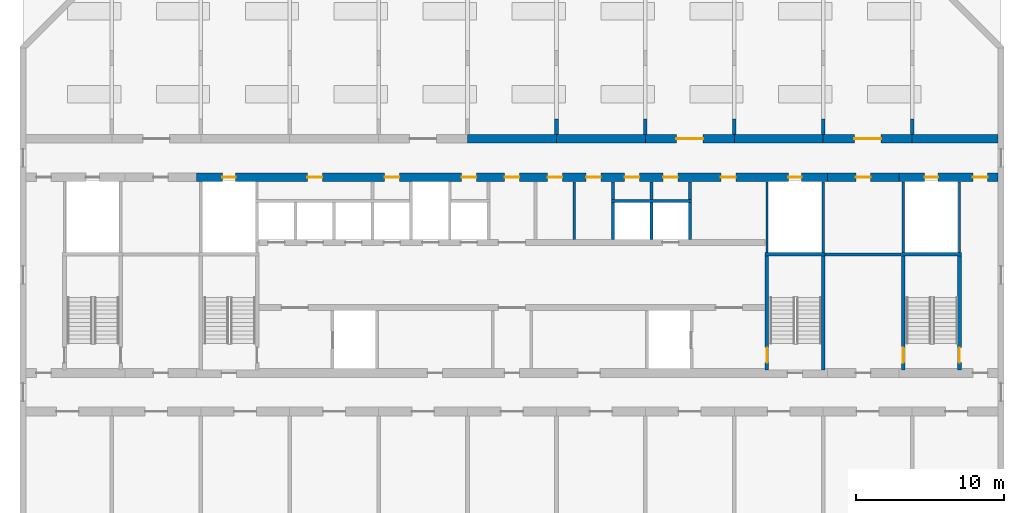
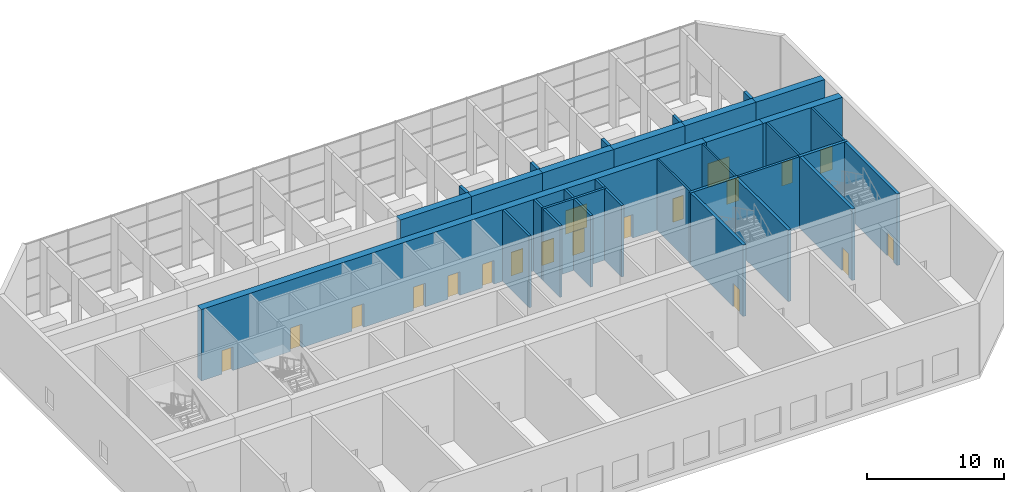
# One storey, part 9 of 13: 33 walls, 19 doors, 19 openings.
"""IFC4 building model written with IfcOpenShell, lengths in metres."""

from ifc_helpers import new_model, si_unit, direction, frame, frame_2d, origin, place, context, subcontext, project, spatial, rectangle, extrude, material, layer, layer_set, type_object, element, fill, save


model = new_model("IFC4")

# Units and contexts
model_context = context("Model", 3, precision=1e-05, world=origin(), true_north=direction((0.0, 1.0)))
body_context = subcontext(model_context, "Body", "Model", "MODEL_VIEW")
ifc_project = project(units=[si_unit("LENGTHUNIT", "METRE"), si_unit("AREAUNIT", "SQUARE_METRE"), si_unit("VOLUMEUNIT", "CUBIC_METRE"), si_unit("PLANEANGLEUNIT", "RADIAN"), si_unit("MASSUNIT", "GRAM", prefix="KILO")], contexts=[model_context])

# Site, building, storey
site_placement = place(None, origin())
site = spatial("IfcSite", under=ifc_project, at=site_placement, CompositionType="ELEMENT")
building_placement = place(site_placement, origin())
building = spatial("IfcBuilding", under=site, at=building_placement, Name="Poui Terraces", CompositionType="ELEMENT")
storey_placement = place(building_placement, frame((0.0, 0.0, 214.800048828125)))
storey = spatial("IfcBuildingStorey", under=building, at=storey_placement, Name="L60", CompositionType="ELEMENT", Elevation=214.800048828125)

# Walls
ifc_material_1 = material(Name="Concrete 50 MPa", Category="concrete")
ifc_layer_1 = layer(ifc_material_1, 0.60009765625)
ifc_layer_set_1 = layer_set([ifc_layer_1], Name="Concrete 50 MPa")
wall_type_1 = type_object("IfcWallType", Name="BELT WALL 600 50MPa", PredefinedType="SHEAR", material=ifc_layer_set_1)
for number, where, z_axis, x_axis, name in (
    (1, (48.0, 30.39990234375, 0.0), (0.0, 0.0, 1.0), (1.0, 0.0, 0.0), "BELT WALL LINE E BAY 6"),
    (2, (54.0, 30.39990234375, 0.0), (0.0, 0.0, 1.0), (1.0, 0.0, 0.0), "BELT WALL LINE E BAY 7"),
):
    element("IfcWall", number, at=place(storey_placement, frame(where, z_axis=z_axis, x_axis=x_axis)), inside=storey, type_object=wall_type_1, Name=name, PredefinedType="SHEAR", context=body_context, shape_type="SweptSolid", body=[
        extrude(rectangle(XDim=6.0, YDim=0.60009765625, at=frame_2d((3.0, 0.0))), origin(), (0.0, 0.0, 1.0), 6.3798828125),
    ])

# Wall, opening, door
wall_1_placement = place(storey_placement, frame((60.0, 30.39990234375, 0.0), z_axis=(0.0, 0.0, 1.0), x_axis=(1.0, 0.0, 0.0)))
wall_1 = element("IfcWall", 3, at=wall_1_placement, inside=storey, type_object=wall_type_1, Name="BELT WALL LINE E BAY 8", PredefinedType="SHEAR", context=body_context, shape_type="SweptSolid", body=[
    extrude(rectangle(XDim=6.0, YDim=0.60009765625, at=frame_2d((3.0, 0.0))), origin(), (0.0, 0.0, 1.0), 6.3798828125),
])
opening_1_placement = place(wall_1_placement, frame((2.10009765625, 0.0, 0.0)))
opening_1 = element("IfcOpeningElement", 4, at=opening_1_placement, cuts=wall_1, Name="Opening DD180", PredefinedType="OPENING", context=body_context, shape_type="SweptSolid", body=[
    extrude(rectangle(XDim=1.800048828125, YDim=2.10009765625, at=frame_2d((0.89990234375, 1.050048828125))), frame((0.0, 0.31005859375, 0.0), z_axis=(0.0, -1.0, 0.0), x_axis=(1.0, 0.0, 0.0)), (0.0, 0.0, 1.0), 0.6201171875),
])
ifc_material_2 = material(Name="Steel fire door", Category="steel")
door_type_1 = type_object("IfcDoorType", Name="DOUBLE INTERNAL DOOR 1800 X 2100", OperationType="DOUBLE_DOOR_SINGLE_SWING", PredefinedType="DOOR", material=ifc_material_2)
door_1_placement = place(opening_1_placement, frame((1.800048828125, 0.0, 0.0), z_axis=(0.0, 0.0, 1.0), x_axis=(-1.0, 0.0, 0.0)))
door_1 = element("IfcDoor", 5, at=door_1_placement, inside=storey, type_object=door_type_1, Name="DOUBLE INTERNAL DOOR 015", OperationType="DOUBLE_DOOR_SINGLE_SWING", OverallHeight=2.10009765625, OverallWidth=1.800048828125, PredefinedType="DOOR", context=body_context, shape_type="SweptSolid", body=[
    extrude(rectangle(XDim=1.800048828125, YDim=2.10009765625, at=frame_2d((0.89990234375, 1.050048828125))), frame((0.0, 0.02490234375, 0.0), z_axis=(0.0, -1.0, 0.0), x_axis=(1.0, 0.0, 0.0)), (0.0, 0.0, 1.0), 0.050048828125),
])
fill(opening_1, door_1)

# Wall
wall_2_placement = place(storey_placement, frame((66.0, 30.39990234375, 0.0), z_axis=(0.0, 0.0, 1.0), x_axis=(1.0, 0.0, 0.0)))
element("IfcWall", 6, at=wall_2_placement, inside=storey, type_object=wall_type_1, Name="BELT WALL LINE E BAY 9", PredefinedType="SHEAR", context=body_context, shape_type="SweptSolid", body=[
    extrude(rectangle(XDim=6.0, YDim=0.60009765625, at=frame_2d((3.0, 0.0))), origin(), (0.0, 0.0, 1.0), 6.3798828125),
])

# Wall, opening, door
wall_3_placement = place(storey_placement, frame((72.0, 30.39990234375, 0.0), z_axis=(0.0, 0.0, 1.0), x_axis=(1.0, 0.0, 0.0)))
wall_3 = element("IfcWall", 7, at=wall_3_placement, inside=storey, type_object=wall_type_1, Name="BELT WALL LINE E BAY 10", PredefinedType="SHEAR", context=body_context, shape_type="SweptSolid", body=[
    extrude(rectangle(XDim=6.0, YDim=0.60009765625, at=frame_2d((3.0, 0.0))), origin(), (0.0, 0.0, 1.0), 6.3798828125),
])
opening_2_placement = place(wall_3_placement, frame((2.10009765625, 0.0, 0.0)))
opening_2 = element("IfcOpeningElement", 8, at=opening_2_placement, cuts=wall_3, Name="Opening DD180", PredefinedType="OPENING", context=body_context, shape_type="SweptSolid", body=[
    extrude(rectangle(XDim=1.800048828125, YDim=2.10009765625, at=frame_2d((0.89990234375, 1.050048828125))), frame((0.0, 0.31005859375, 0.0), z_axis=(0.0, -1.0, 0.0), x_axis=(1.0, 0.0, 0.0)), (0.0, 0.0, 1.0), 0.6201171875),
])
door_2_placement = place(opening_2_placement, frame((1.800048828125, 0.0, 0.0), z_axis=(0.0, 0.0, 1.0), x_axis=(-1.0, 0.0, 0.0)))
door_2 = element("IfcDoor", 9, at=door_2_placement, inside=storey, type_object=door_type_1, Name="DOUBLE INTERNAL DOOR 019", OperationType="DOUBLE_DOOR_SINGLE_SWING", OverallHeight=2.10009765625, OverallWidth=1.800048828125, PredefinedType="DOOR", context=body_context, shape_type="SweptSolid", body=[
    extrude(rectangle(XDim=1.800048828125, YDim=2.10009765625, at=frame_2d((0.89990234375, 1.050048828125))), frame((0.0, 0.02490234375, 0.0), z_axis=(0.0, -1.0, 0.0), x_axis=(1.0, 0.0, 0.0)), (0.0, 0.0, 1.0), 0.050048828125),
])
fill(opening_2, door_2)

# Wall
wall_4_placement = place(storey_placement, frame((78.0, 30.39990234375, 0.0), z_axis=(0.0, 0.0, 1.0), x_axis=(1.0, 0.0, 0.0)))
element("IfcWall", 10, at=wall_4_placement, inside=storey, type_object=wall_type_1, Name="BELT WALL LINE E BAY 11", PredefinedType="SHEAR", context=body_context, shape_type="SweptSolid", body=[
    extrude(rectangle(XDim=5.800048828125, YDim=0.60009765625, at=frame_2d((2.89990234375, 0.0))), origin(), (0.0, 0.0, 1.0), 6.3798828125),
])

# Wall, opening, door
ifc_layer_2 = layer(ifc_material_1, 0.60009765625)
ifc_layer_set_2 = layer_set([ifc_layer_2], Name="Concrete 50 MPa")
wall_type_2 = type_object("IfcWallType", Name="OUTRIGGER WALL 600 50MPa", PredefinedType="SHEAR", material=ifc_layer_set_2)
wall_5_placement = place(storey_placement, frame((72.300048828125, 27.800048828125, 0.0), z_axis=(0.0, 0.0, 1.0), x_axis=(1.0, 0.0, 0.0)))
wall_5 = element("IfcWall", 11, at=wall_5_placement, inside=storey, type_object=wall_type_2, Name="OUTRIGGER WALL LINE D E2", PredefinedType="SHEAR", context=body_context, shape_type="SweptSolid", body=[
    extrude(rectangle(XDim=4.800048828125, YDim=0.60009765625, at=frame_2d((2.39990234375, 0.0))), origin(), (0.0, 0.0, 1.0), 6.3798828125),
])
opening_3_placement = place(wall_5_placement, frame((1.89990234375, 0.0, 0.0)))
opening_3 = element("IfcOpeningElement", 12, at=opening_3_placement, cuts=wall_5, Name="Opening FD60", PredefinedType="OPENING", context=body_context, shape_type="SweptSolid", body=[
    extrude(rectangle(XDim=1.0, YDim=2.10009765625, at=frame_2d((0.5, 1.050048828125))), frame((0.0, 0.31005859375, 0.0), z_axis=(0.0, -1.0, 0.0), x_axis=(1.0, 0.0, 0.0)), (0.0, 0.0, 1.0), 0.6201171875),
])
door_type_2 = type_object("IfcDoorType", Name="SERVICE ROOM FIRE DOOR 1000 X 2100", OperationType="NOTDEFINED", PredefinedType="DOOR", material=ifc_material_2)
door_3_placement = place(opening_3_placement, origin())
door_3 = element("IfcDoor", 13, at=door_3_placement, inside=storey, type_object=door_type_2, Name="SERVICE ROOM FIRE DOOR 018", OperationType="SINGLE_SWING_LEFT", OverallHeight=2.10009765625, OverallWidth=1.0, PredefinedType="DOOR", context=body_context, shape_type="SweptSolid", body=[
    extrude(rectangle(XDim=1.0, YDim=2.10009765625, at=frame_2d((0.5, 1.050048828125))), frame((0.0, 0.02490234375, 0.0), z_axis=(0.0, -1.0, 0.0), x_axis=(1.0, 0.0, 0.0)), (0.0, 0.0, 1.0), 0.050048828125),
])
fill(opening_3, door_3)

# Walls
ifc_layer_3 = layer(ifc_material_1, 0.25)
ifc_layer_set_3 = layer_set([ifc_layer_3], Name="Concrete 50 MPa")
wall_type_3 = type_object("IfcWallType", Name="PIERCED CROSS WALL 250 50MPa", PredefinedType="SHEAR", material=ifc_layer_set_3)
for number, where, z_axis, x_axis, name in (
    (14, (54.0, 30.699951171875, 0.0), (0.0, 0.0, 1.0), (0.0, 1.0, 0.0), "PIER LINE 10 1"),
    (15, (60.0, 30.699951171875, 0.0), (0.0, 0.0, 1.0), (0.0, 1.0, 0.0), "PIER LINE 11 1"),
    (16, (66.0, 30.699951171875, 0.0), (0.0, 0.0, 1.0), (0.0, 1.0, 0.0), "PIER LINE 12 1"),
    (17, (72.0, 30.699951171875, 0.0), (0.0, 0.0, 1.0), (0.0, 1.0, 0.0), "PIER LINE 13 1"),
    (18, (78.0, 30.699951171875, 0.0), (0.0, 0.0, 1.0), (0.0, 1.0, 0.0), "PIER LINE 14 1"),
):
    element("IfcWall", number, at=place(storey_placement, frame(where, z_axis=z_axis, x_axis=x_axis)), inside=storey, type_object=wall_type_3, Name=name, PredefinedType="SHEAR", context=body_context, shape_type="SweptSolid", body=[
        extrude(rectangle(XDim=1.033447265625, YDim=0.25, at=frame_2d((0.5166015625, 0.0))), origin(), (0.0, 0.0, 1.0), 6.3798828125),
    ])
ifc_material_3 = material(Name="Fire-rated masonry wall", Category="masonry")
ifc_layer_4 = layer(ifc_material_3, 0.199951171875)
ifc_layer_set_4 = layer_set([ifc_layer_4], Name="Fire-rated masonry wall")
wall_type_4 = type_object("IfcWallType", Name="PLANT ROOM WALL 200", PredefinedType="PARTITIONING", material=ifc_layer_set_4)
wall_6_placement = place(storey_placement, frame((55.199951171875, 23.610107421875, 0.0), z_axis=(0.0, 0.0, 1.0), x_axis=(0.0, 1.0, 0.0)))
element("IfcWall", 19, at=wall_6_placement, inside=storey, type_object=wall_type_4, Name="PLANT ROOM WALL 200", PredefinedType="PARTITIONING", context=body_context, shape_type="SweptSolid", body=[
    extrude(rectangle(XDim=3.8798828125, YDim=0.199951171875, at=frame_2d((1.93994140625, 0.0))), origin(), (0.0, 0.0, 1.0), 6.3798828125),
])
for number, where, z_axis, x_axis, name in (
    (20, (57.800048828125, 26.300048828125, 0.0), (0.0, 0.0, 1.0), (0.0, 1.0, 0.0), "PLANT ROOM WALL 200"),
    (21, (60.39990234375, 26.300048828125, 0.0), (0.0, 0.0, 1.0), (0.0, 1.0, 0.0), "PLANT ROOM WALL 200"),
    (22, (63.0, 26.300048828125, 0.0), (0.0, 0.0, 1.0), (0.0, 1.0, 0.0), "PLANT ROOM WALL 200"),
):
    element("IfcWall", number, at=place(storey_placement, frame(where, z_axis=z_axis, x_axis=x_axis)), inside=storey, type_object=wall_type_4, Name=name, PredefinedType="PARTITIONING", context=body_context, shape_type="SweptSolid", body=[
        extrude(rectangle(XDim=1.18994140625, YDim=0.199951171875, at=frame_2d((0.594970703125, 0.0))), origin(), (0.0, 0.0, 1.0), 6.3798828125),
    ])
ifc_layer_5 = layer(ifc_material_3, 0.199951171875)
ifc_layer_set_5 = layer_set([ifc_layer_5], Name="Fire-rated masonry wall")
wall_type_5 = type_object("IfcWallType", Name="REFUGE AREA WALL 200", PredefinedType="PARTITIONING", material=ifc_layer_set_5)
wall_7_placement = place(storey_placement, frame((72.135009765625, 22.60009765625, 0.0), z_axis=(0.0, 0.0, 1.0), x_axis=(1.0, 0.0, 0.0)))
element("IfcWall", 23, at=wall_7_placement, inside=storey, type_object=wall_type_5, Name="REFUGE AREA WALL 200", PredefinedType="PARTITIONING", context=body_context, shape_type="SweptSolid", body=[
    extrude(rectangle(XDim=5.1298828125, YDim=0.199951171875, at=frame_2d((2.56494140625, 0.0))), origin(), (0.0, 0.0, 1.0), 6.3798828125),
])
ifc_material_4 = material(Name="Fire-rated plasterboard riser wall")
ifc_layer_6 = layer(ifc_material_4, 0.14990234375)
ifc_layer_set_6 = layer_set([ifc_layer_6], Name="Fire-rated plasterboard riser wall")
wall_type_6 = type_object("IfcWallType", Name="RISER WALL 150", PredefinedType="PARTITIONING", material=ifc_layer_set_6)
for number, where, z_axis, x_axis, name in (
    (24, (68.199951171875, 22.735107421875, 0.0), (0.0, 0.0, 1.0), (0.0, 1.0, 0.0), "RISER WALL 150"),
    (25, (72.0, 22.735107421875, 0.0), (0.0, 0.0, 1.0), (0.0, 1.0, 0.0), "RISER WALL 150"),
    (26, (77.39990234375, 22.735107421875, 0.0), (0.0, 0.0, 1.0), (0.0, 1.0, 0.0), "RISER WALL 150"),
    (27, (81.199951171875, 22.735107421875, 0.0), (0.0, 0.0, 1.0), (0.0, 1.0, 0.0), "RISER WALL 150"),
):
    element("IfcWall", number, at=place(storey_placement, frame(where, z_axis=z_axis, x_axis=x_axis)), inside=storey, type_object=wall_type_6, Name=name, PredefinedType="PARTITIONING", context=body_context, shape_type="SweptSolid", body=[
        extrude(rectangle(XDim=4.7548828125, YDim=0.14990234375, at=frame_2d((2.37744140625, 0.0))), origin(), (0.0, 0.0, 1.0), 6.3798828125),
    ])
ifc_material_5 = material(Name="Fire-rated masonry shaft wall", Category="masonry")
ifc_layer_7 = layer(ifc_material_5, 0.199951171875)
ifc_layer_set_7 = layer_set([ifc_layer_7], Name="Fire-rated masonry shaft wall")
wall_type_7 = type_object("IfcWallType", Name="SHAFT WALL 200", PredefinedType="PARTITIONING", material=ifc_layer_set_7)
wall_8_placement = place(storey_placement, frame((57.699951171875, 26.199951171875, 0.0), z_axis=(0.0, 0.0, 1.0), x_axis=(1.0, 0.0, 0.0)))
element("IfcWall", 28, at=wall_8_placement, inside=storey, type_object=wall_type_7, Name="SHAFT WALL 200", PredefinedType="PARTITIONING", context=body_context, shape_type="SweptSolid", body=[
    extrude(rectangle(XDim=5.400146484375, YDim=0.199951171875, at=frame_2d((2.7001953125, 0.0))), origin(), (0.0, 0.0, 1.0), 6.3798828125),
])
for number, where, z_axis, x_axis, name in (
    (29, (57.800048828125, 23.610107421875, 0.0), (0.0, 0.0, 1.0), (0.0, 1.0, 0.0), "SHAFT WALL 200"),
    (30, (60.39990234375, 23.610107421875, 0.0), (0.0, 0.0, 1.0), (0.0, 1.0, 0.0), "SHAFT WALL 200"),
    (31, (63.0, 23.610107421875, 0.0), (0.0, 0.0, 1.0), (0.0, 1.0, 0.0), "SHAFT WALL 200"),
):
    element("IfcWall", number, at=place(storey_placement, frame(where, z_axis=z_axis, x_axis=x_axis)), inside=storey, type_object=wall_type_7, Name=name, PredefinedType="PARTITIONING", context=body_context, shape_type="SweptSolid", body=[
        extrude(rectangle(XDim=2.489990234375, YDim=0.199951171875, at=frame_2d((1.2451171875, 0.0))), origin(), (0.0, 0.0, 1.0), 6.3798828125),
    ])

# Wall, openings, doors
ifc_layer_8 = layer(ifc_material_1, 0.60009765625)
ifc_layer_set_8 = layer_set([ifc_layer_8], Name="Concrete 50 MPa")
wall_type_8 = type_object("IfcWallType", Name="SPINE WALL 600 50 MPA", PredefinedType="SOLIDWALL", material=ifc_layer_set_8)
wall_9_placement = place(storey_placement, frame((29.699951171875, 27.800048828125, 0.0), z_axis=(0.0, 0.0, 1.0), x_axis=(1.0, 0.0, 0.0)))
wall_9 = element("IfcWall", 32, at=wall_9_placement, inside=storey, type_object=wall_type_8, Name="SPINE WALL", PredefinedType="SOLIDWALL", context=body_context, shape_type="SweptSolid", body=[
    extrude(rectangle(XDim=42.60009765625, YDim=0.60009765625, at=frame_2d((21.300048828125, 0.0))), origin(), (0.0, 0.0, 1.0), 6.3798828125),
])
opening_4_placement = place(wall_9_placement, frame((1.75, 0.0, 0.0)))
opening_4 = element("IfcOpeningElement", 33, at=opening_4_placement, cuts=wall_9, Name="Opening FDR", PredefinedType="OPENING", context=body_context, shape_type="SweptSolid", body=[
    extrude(rectangle(XDim=0.89990234375, YDim=2.10009765625, at=frame_2d((0.449951171875, 1.050048828125))), frame((0.0, 0.31005859375, 0.0), z_axis=(0.0, -1.0, 0.0), x_axis=(1.0, 0.0, 0.0)), (0.0, 0.0, 1.0), 0.6201171875),
])
opening_5_placement = place(wall_9_placement, frame((7.5, 0.0, 0.0)))
opening_5 = element("IfcOpeningElement", 34, at=opening_5_placement, cuts=wall_9, Name="Opening FD60", PredefinedType="OPENING", context=body_context, shape_type="SweptSolid", body=[
    extrude(rectangle(XDim=1.0, YDim=2.10009765625, at=frame_2d((0.5, 1.050048828125))), frame((0.0, 0.31005859375, 0.0), z_axis=(0.0, -1.0, 0.0), x_axis=(1.0, 0.0, 0.0)), (0.0, 0.0, 1.0), 0.6201171875),
])
opening_6_placement = place(wall_9_placement, frame((12.699951171875, 0.0, 0.0)))
opening_6 = element("IfcOpeningElement", 35, at=opening_6_placement, cuts=wall_9, Name="Opening FD60", PredefinedType="OPENING", context=body_context, shape_type="SweptSolid", body=[
    extrude(rectangle(XDim=1.0, YDim=2.10009765625, at=frame_2d((0.5, 1.050048828125))), frame((0.0, 0.31005859375, 0.0), z_axis=(0.0, -1.0, 0.0), x_axis=(1.0, 0.0, 0.0)), (0.0, 0.0, 1.0), 0.6201171875),
])
opening_7_placement = place(wall_9_placement, frame((17.89990234375, 0.0, 0.0)))
opening_7 = element("IfcOpeningElement", 36, at=opening_7_placement, cuts=wall_9, Name="Opening FD60", PredefinedType="OPENING", context=body_context, shape_type="SweptSolid", body=[
    extrude(rectangle(XDim=1.0, YDim=2.10009765625, at=frame_2d((0.5, 1.050048828125))), frame((0.0, 0.31005859375, 0.0), z_axis=(0.0, -1.0, 0.0), x_axis=(1.0, 0.0, 0.0)), (0.0, 0.0, 1.0), 0.6201171875),
])
opening_8_placement = place(wall_9_placement, frame((20.800048828125, 0.0, 0.0)))
opening_8 = element("IfcOpeningElement", 37, at=opening_8_placement, cuts=wall_9, Name="Opening FDL", PredefinedType="OPENING", context=body_context, shape_type="SweptSolid", body=[
    extrude(rectangle(XDim=1.0, YDim=2.10009765625, at=frame_2d((0.5, 1.050048828125))), frame((0.0, 0.31005859375, 0.0), z_axis=(0.0, -1.0, 0.0), x_axis=(1.0, 0.0, 0.0)), (0.0, 0.0, 1.0), 0.6201171875),
])
opening_9_placement = place(wall_9_placement, frame((23.699951171875, 0.0, 0.0)))
opening_9 = element("IfcOpeningElement", 38, at=opening_9_placement, cuts=wall_9, Name="Opening FD60", PredefinedType="OPENING", context=body_context, shape_type="SweptSolid", body=[
    extrude(rectangle(XDim=1.0, YDim=2.10009765625, at=frame_2d((0.5, 1.050048828125))), frame((0.0, 0.31005859375, 0.0), z_axis=(0.0, -1.0, 0.0), x_axis=(1.0, 0.0, 0.0)), (0.0, 0.0, 1.0), 0.6201171875),
])
opening_10_placement = place(wall_9_placement, frame((26.300048828125, 0.0, 0.0)))
opening_10 = element("IfcOpeningElement", 39, at=opening_10_placement, cuts=wall_9, Name="Opening FD60", PredefinedType="OPENING", context=body_context, shape_type="SweptSolid", body=[
    extrude(rectangle(XDim=1.0, YDim=2.10009765625, at=frame_2d((0.5, 1.050048828125))), frame((0.0, 0.31005859375, 0.0), z_axis=(0.0, -1.0, 0.0), x_axis=(1.0, 0.0, 0.0)), (0.0, 0.0, 1.0), 0.6201171875),
])
opening_11_placement = place(wall_9_placement, frame((28.89990234375, 0.0, 0.0)))
opening_11 = element("IfcOpeningElement", 40, at=opening_11_placement, cuts=wall_9, Name="Opening FD60", PredefinedType="OPENING", context=body_context, shape_type="SweptSolid", body=[
    extrude(rectangle(XDim=1.0, YDim=2.10009765625, at=frame_2d((0.5, 1.050048828125))), frame((0.0, 0.31005859375, 0.0), z_axis=(0.0, -1.0, 0.0), x_axis=(1.0, 0.0, 0.0)), (0.0, 0.0, 1.0), 0.6201171875),
])
opening_12_placement = place(wall_9_placement, frame((31.5, 0.0, 0.0)))
opening_12 = element("IfcOpeningElement", 41, at=opening_12_placement, cuts=wall_9, Name="Opening FD60", PredefinedType="OPENING", context=body_context, shape_type="SweptSolid", body=[
    extrude(rectangle(XDim=1.0, YDim=2.10009765625, at=frame_2d((0.5, 1.050048828125))), frame((0.0, 0.31005859375, 0.0), z_axis=(0.0, -1.0, 0.0), x_axis=(1.0, 0.0, 0.0)), (0.0, 0.0, 1.0), 0.6201171875),
])
opening_13_placement = place(wall_9_placement, frame((35.39990234375, 0.0, 0.0)))
opening_13 = element("IfcOpeningElement", 42, at=opening_13_placement, cuts=wall_9, Name="Opening FD60", PredefinedType="OPENING", context=body_context, shape_type="SweptSolid", body=[
    extrude(rectangle(XDim=1.0, YDim=2.10009765625, at=frame_2d((0.5, 1.050048828125))), frame((0.0, 0.31005859375, 0.0), z_axis=(0.0, -1.0, 0.0), x_axis=(1.0, 0.0, 0.0)), (0.0, 0.0, 1.0), 0.6201171875),
])
opening_14_placement = place(wall_9_placement, frame((39.949951171875, 0.0, 0.0)))
opening_14 = element("IfcOpeningElement", 43, at=opening_14_placement, cuts=wall_9, Name="Opening FDR", PredefinedType="OPENING", context=body_context, shape_type="SweptSolid", body=[
    extrude(rectangle(XDim=0.89990234375, YDim=2.10009765625, at=frame_2d((0.449951171875, 1.050048828125))), frame((0.0, 0.31005859375, 0.0), z_axis=(0.0, -1.0, 0.0), x_axis=(1.0, 0.0, 0.0)), (0.0, 0.0, 1.0), 0.6201171875),
])
door_type_3 = type_object("IfcDoorType", Name="LOBBY FIRE DOOR 1000 X 2100", OperationType="NOTDEFINED", PredefinedType="DOOR", material=ifc_material_2)
door_4_placement = place(opening_8_placement, origin())
door_4 = element("IfcDoor", 44, at=door_4_placement, inside=storey, type_object=door_type_3, Name="LOBBY FIRE DOOR 010", OperationType="SINGLE_SWING_RIGHT", OverallHeight=2.10009765625, OverallWidth=1.0, PredefinedType="DOOR", context=body_context, shape_type="SweptSolid", body=[
    extrude(rectangle(XDim=1.0, YDim=2.10009765625, at=frame_2d((0.5, 1.050048828125))), frame((0.0, 0.02490234375, 0.0), z_axis=(0.0, -1.0, 0.0), x_axis=(1.0, 0.0, 0.0)), (0.0, 0.0, 1.0), 0.050048828125),
])
fill(opening_8, door_4)
door_type_4 = type_object("IfcDoorType", Name="RISER CUPBOARD DOOR 900 X 2100", OperationType="NOTDEFINED", PredefinedType="DOOR", material=ifc_material_2)
door_5_placement = place(opening_4_placement, origin())
door_5 = element("IfcDoor", 45, at=door_5_placement, inside=storey, type_object=door_type_4, Name="RISER CUPBOARD DOOR 005", OperationType="SINGLE_SWING_LEFT", OverallHeight=2.10009765625, OverallWidth=0.89990234375, PredefinedType="DOOR", context=body_context, shape_type="SweptSolid", body=[
    extrude(rectangle(XDim=0.89990234375, YDim=2.10009765625, at=frame_2d((0.449951171875, 1.050048828125))), frame((0.0, 0.02490234375, 0.0), z_axis=(0.0, -1.0, 0.0), x_axis=(1.0, 0.0, 0.0)), (0.0, 0.0, 1.0), 0.050048828125),
])
fill(opening_4, door_5)
door_6_placement = place(opening_14_placement, origin())
door_6 = element("IfcDoor", 46, at=door_6_placement, inside=storey, type_object=door_type_4, Name="RISER CUPBOARD DOOR 017", OperationType="SINGLE_SWING_RIGHT", OverallHeight=2.10009765625, OverallWidth=0.89990234375, PredefinedType="DOOR", context=body_context, shape_type="SweptSolid", body=[
    extrude(rectangle(XDim=0.89990234375, YDim=2.10009765625, at=frame_2d((0.449951171875, 1.050048828125))), frame((0.0, 0.02490234375, 0.0), z_axis=(0.0, -1.0, 0.0), x_axis=(1.0, 0.0, 0.0)), (0.0, 0.0, 1.0), 0.050048828125),
])
fill(opening_14, door_6)
door_7_placement = place(opening_5_placement, origin())
door_7 = element("IfcDoor", 47, at=door_7_placement, inside=storey, type_object=door_type_2, Name="SERVICE ROOM FIRE DOOR 006", OperationType="SINGLE_SWING_LEFT", OverallHeight=2.10009765625, OverallWidth=1.0, PredefinedType="DOOR", context=body_context, shape_type="SweptSolid", body=[
    extrude(rectangle(XDim=1.0, YDim=2.10009765625, at=frame_2d((0.5, 1.050048828125))), frame((0.0, 0.02490234375, 0.0), z_axis=(0.0, -1.0, 0.0), x_axis=(1.0, 0.0, 0.0)), (0.0, 0.0, 1.0), 0.050048828125),
])
fill(opening_5, door_7)
door_8_placement = place(opening_6_placement, origin())
door_8 = element("IfcDoor", 48, at=door_8_placement, inside=storey, type_object=door_type_2, Name="SERVICE ROOM FIRE DOOR 007", OperationType="SINGLE_SWING_RIGHT", OverallHeight=2.10009765625, OverallWidth=1.0, PredefinedType="DOOR", context=body_context, shape_type="SweptSolid", body=[
    extrude(rectangle(XDim=1.0, YDim=2.10009765625, at=frame_2d((0.5, 1.050048828125))), frame((0.0, 0.02490234375, 0.0), z_axis=(0.0, -1.0, 0.0), x_axis=(1.0, 0.0, 0.0)), (0.0, 0.0, 1.0), 0.050048828125),
])
fill(opening_6, door_8)
door_9_placement = place(opening_7_placement, origin())
door_9 = element("IfcDoor", 49, at=door_9_placement, inside=storey, type_object=door_type_2, Name="SERVICE ROOM FIRE DOOR 009", OperationType="SINGLE_SWING_LEFT", OverallHeight=2.10009765625, OverallWidth=1.0, PredefinedType="DOOR", context=body_context, shape_type="SweptSolid", body=[
    extrude(rectangle(XDim=1.0, YDim=2.10009765625, at=frame_2d((0.5, 1.050048828125))), frame((0.0, 0.02490234375, 0.0), z_axis=(0.0, -1.0, 0.0), x_axis=(1.0, 0.0, 0.0)), (0.0, 0.0, 1.0), 0.050048828125),
])
fill(opening_7, door_9)
door_10_placement = place(opening_9_placement, origin())
door_10 = element("IfcDoor", 50, at=door_10_placement, inside=storey, type_object=door_type_2, Name="SERVICE ROOM FIRE DOOR 011", OperationType="SINGLE_SWING_RIGHT", OverallHeight=2.10009765625, OverallWidth=1.0, PredefinedType="DOOR", context=body_context, shape_type="SweptSolid", body=[
    extrude(rectangle(XDim=1.0, YDim=2.10009765625, at=frame_2d((0.5, 1.050048828125))), frame((0.0, 0.02490234375, 0.0), z_axis=(0.0, -1.0, 0.0), x_axis=(1.0, 0.0, 0.0)), (0.0, 0.0, 1.0), 0.050048828125),
])
fill(opening_9, door_10)
door_11_placement = place(opening_10_placement, origin())
door_11 = element("IfcDoor", 51, at=door_11_placement, inside=storey, type_object=door_type_2, Name="SERVICE ROOM FIRE DOOR 012", OperationType="SINGLE_SWING_LEFT", OverallHeight=2.10009765625, OverallWidth=1.0, PredefinedType="DOOR", context=body_context, shape_type="SweptSolid", body=[
    extrude(rectangle(XDim=1.0, YDim=2.10009765625, at=frame_2d((0.5, 1.050048828125))), frame((0.0, 0.02490234375, 0.0), z_axis=(0.0, -1.0, 0.0), x_axis=(1.0, 0.0, 0.0)), (0.0, 0.0, 1.0), 0.050048828125),
])
fill(opening_10, door_11)
door_12_placement = place(opening_11_placement, origin())
door_12 = element("IfcDoor", 52, at=door_12_placement, inside=storey, type_object=door_type_2, Name="SERVICE ROOM FIRE DOOR 013", OperationType="SINGLE_SWING_RIGHT", OverallHeight=2.10009765625, OverallWidth=1.0, PredefinedType="DOOR", context=body_context, shape_type="SweptSolid", body=[
    extrude(rectangle(XDim=1.0, YDim=2.10009765625, at=frame_2d((0.5, 1.050048828125))), frame((0.0, 0.02490234375, 0.0), z_axis=(0.0, -1.0, 0.0), x_axis=(1.0, 0.0, 0.0)), (0.0, 0.0, 1.0), 0.050048828125),
])
fill(opening_11, door_12)
door_13_placement = place(opening_12_placement, origin())
door_13 = element("IfcDoor", 53, at=door_13_placement, inside=storey, type_object=door_type_2, Name="SERVICE ROOM FIRE DOOR 014", OperationType="SINGLE_SWING_LEFT", OverallHeight=2.10009765625, OverallWidth=1.0, PredefinedType="DOOR", context=body_context, shape_type="SweptSolid", body=[
    extrude(rectangle(XDim=1.0, YDim=2.10009765625, at=frame_2d((0.5, 1.050048828125))), frame((0.0, 0.02490234375, 0.0), z_axis=(0.0, -1.0, 0.0), x_axis=(1.0, 0.0, 0.0)), (0.0, 0.0, 1.0), 0.050048828125),
])
fill(opening_12, door_13)
door_14_placement = place(opening_13_placement, origin())
door_14 = element("IfcDoor", 54, at=door_14_placement, inside=storey, type_object=door_type_2, Name="SERVICE ROOM FIRE DOOR 016", OperationType="SINGLE_SWING_RIGHT", OverallHeight=2.10009765625, OverallWidth=1.0, PredefinedType="DOOR", context=body_context, shape_type="SweptSolid", body=[
    extrude(rectangle(XDim=1.0, YDim=2.10009765625, at=frame_2d((0.5, 1.050048828125))), frame((0.0, 0.02490234375, 0.0), z_axis=(0.0, -1.0, 0.0), x_axis=(1.0, 0.0, 0.0)), (0.0, 0.0, 1.0), 0.050048828125),
])
fill(opening_13, door_14)

wall_10_placement = place(storey_placement, frame((77.10009765625, 27.800048828125, 0.0), z_axis=(0.0, 0.0, 1.0), x_axis=(1.0, 0.0, 0.0)))
wall_10 = element("IfcWall", 55, at=wall_10_placement, inside=storey, type_object=wall_type_8, Name="SPINE WALL", PredefinedType="SOLIDWALL", context=body_context, shape_type="SweptSolid", body=[
    extrude(rectangle(XDim=6.699951171875, YDim=0.60009765625, at=frame_2d((3.35009765625, 0.0))), origin(), (0.0, 0.0, 1.0), 6.3798828125),
])
opening_15_placement = place(wall_10_placement, frame((1.75, 0.0, 0.0)))
opening_15 = element("IfcOpeningElement", 56, at=opening_15_placement, cuts=wall_10, Name="Opening FDR", PredefinedType="OPENING", context=body_context, shape_type="SweptSolid", body=[
    extrude(rectangle(XDim=0.89990234375, YDim=2.10009765625, at=frame_2d((0.449951171875, 1.050048828125))), frame((0.0, 0.31005859375, 0.0), z_axis=(0.0, -1.0, 0.0), x_axis=(1.0, 0.0, 0.0)), (0.0, 0.0, 1.0), 0.6201171875),
])
opening_16_placement = place(wall_10_placement, frame((5.0, 0.0, 0.0)))
opening_16 = element("IfcOpeningElement", 57, at=opening_16_placement, cuts=wall_10, Name="Opening FDL", PredefinedType="OPENING", context=body_context, shape_type="SweptSolid", body=[
    extrude(rectangle(XDim=1.0, YDim=2.10009765625, at=frame_2d((0.5, 1.050048828125))), frame((0.0, 0.31005859375, 0.0), z_axis=(0.0, -1.0, 0.0), x_axis=(1.0, 0.0, 0.0)), (0.0, 0.0, 1.0), 0.6201171875),
])
door_15_placement = place(opening_16_placement, origin())
door_15 = element("IfcDoor", 58, at=door_15_placement, inside=storey, type_object=door_type_3, Name="LOBBY FIRE DOOR 021", OperationType="SINGLE_SWING_RIGHT", OverallHeight=2.10009765625, OverallWidth=1.0, PredefinedType="DOOR", context=body_context, shape_type="SweptSolid", body=[
    extrude(rectangle(XDim=1.0, YDim=2.10009765625, at=frame_2d((0.5, 1.050048828125))), frame((0.0, 0.02490234375, 0.0), z_axis=(0.0, -1.0, 0.0), x_axis=(1.0, 0.0, 0.0)), (0.0, 0.0, 1.0), 0.050048828125),
])
fill(opening_16, door_15)
door_16_placement = place(opening_15_placement, origin())
door_16 = element("IfcDoor", 59, at=door_16_placement, inside=storey, type_object=door_type_4, Name="RISER CUPBOARD DOOR 020", OperationType="SINGLE_SWING_RIGHT", OverallHeight=2.10009765625, OverallWidth=0.89990234375, PredefinedType="DOOR", context=body_context, shape_type="SweptSolid", body=[
    extrude(rectangle(XDim=0.89990234375, YDim=2.10009765625, at=frame_2d((0.449951171875, 1.050048828125))), frame((0.0, 0.02490234375, 0.0), z_axis=(0.0, -1.0, 0.0), x_axis=(1.0, 0.0, 0.0)), (0.0, 0.0, 1.0), 0.050048828125),
])
fill(opening_15, door_16)

# Wall, opening, door
ifc_layer_9 = layer(ifc_material_1, 0.25)
ifc_layer_set_9 = layer_set([ifc_layer_9], Name="Concrete 50 MPa")
wall_type_9 = type_object("IfcWallType", Name="STAIR CORE WALL 250 50 MPA", PredefinedType="SOLIDWALL", material=ifc_layer_set_9)
wall_11_placement = place(storey_placement, frame((68.199951171875, 14.800048828125, 0.0), z_axis=(0.0, 0.0, 1.0), x_axis=(0.0, 1.0, 0.0)))
wall_11 = element("IfcWall", 60, at=wall_11_placement, inside=storey, type_object=wall_type_9, Name="STAIR CORE WALL", PredefinedType="SOLIDWALL", context=body_context, shape_type="SweptSolid", body=[
    extrude(rectangle(XDim=7.675048828125, YDim=0.25, at=frame_2d((3.83740234375, 0.0))), origin(), (0.0, 0.0, 1.0), 6.3798828125),
])
opening_17_placement = place(wall_11_placement, frame((0.5, 0.0, 0.0)))
opening_17 = element("IfcOpeningElement", 61, at=opening_17_placement, cuts=wall_11, Name="Opening FD60S", PredefinedType="OPENING", context=body_context, shape_type="SweptSolid", body=[
    extrude(rectangle(XDim=1.0, YDim=2.10009765625, at=frame_2d((0.5, 1.050048828125))), frame((0.0, 0.135009765625, 0.0), z_axis=(0.0, -1.0, 0.0), x_axis=(1.0, 0.0, 0.0)), (0.0, 0.0, 1.0), 0.27001953125),
])
door_type_5 = type_object("IfcDoorType", Name="STAIR DOOR 1000 X 2100", OperationType="NOTDEFINED", PredefinedType="DOOR", material=ifc_material_2)
door_17_placement = place(opening_17_placement, frame((1.0, 0.0, 0.0), z_axis=(0.0, 0.0, 1.0), x_axis=(-1.0, 0.0, 0.0)))
door_17 = element("IfcDoor", 62, at=door_17_placement, inside=storey, type_object=door_type_5, Name="STAIR DOOR 043", OperationType="SINGLE_SWING_LEFT", OverallHeight=2.10009765625, OverallWidth=1.0, PredefinedType="DOOR", context=body_context, shape_type="SweptSolid", body=[
    extrude(rectangle(XDim=1.0, YDim=2.10009765625, at=frame_2d((0.5, 1.050048828125))), frame((0.0, 0.02490234375, 0.0), z_axis=(0.0, -1.0, 0.0), x_axis=(1.0, 0.0, 0.0)), (0.0, 0.0, 1.0), 0.050048828125),
])
fill(opening_17, door_17)

# Walls
wall_12_placement = place(storey_placement, frame((72.0, 14.800048828125, 0.0), z_axis=(0.0, 0.0, 1.0), x_axis=(0.0, 1.0, 0.0)))
element("IfcWall", 63, at=wall_12_placement, inside=storey, type_object=wall_type_9, Name="STAIR CORE WALL", PredefinedType="SOLIDWALL", context=body_context, shape_type="SweptSolid", body=[
    extrude(rectangle(XDim=7.675048828125, YDim=0.25, at=frame_2d((3.83740234375, 0.0))), origin(), (0.0, 0.0, 1.0), 6.3798828125),
])
wall_13_placement = place(storey_placement, frame((68.074951171875, 22.60009765625, 0.0), z_axis=(0.0, 0.0, 1.0), x_axis=(1.0, 0.0, 0.0)))
element("IfcWall", 64, at=wall_13_placement, inside=storey, type_object=wall_type_9, Name="STAIR CORE WALL", PredefinedType="SOLIDWALL", context=body_context, shape_type="SweptSolid", body=[
    extrude(rectangle(XDim=4.050048828125, YDim=0.25, at=frame_2d((2.02490234375, 0.0))), origin(), (0.0, 0.0, 1.0), 6.3798828125),
])

# Wall, opening, door
wall_14_placement = place(storey_placement, frame((77.39990234375, 14.800048828125, 0.0), z_axis=(0.0, 0.0, 1.0), x_axis=(0.0, 1.0, 0.0)))
wall_14 = element("IfcWall", 65, at=wall_14_placement, inside=storey, type_object=wall_type_9, Name="STAIR CORE WALL", PredefinedType="SOLIDWALL", context=body_context, shape_type="SweptSolid", body=[
    extrude(rectangle(XDim=7.675048828125, YDim=0.25, at=frame_2d((3.83740234375, 0.0))), origin(), (0.0, 0.0, 1.0), 6.3798828125),
])
opening_18_placement = place(wall_14_placement, frame((0.5, 0.0, 0.0)))
opening_18 = element("IfcOpeningElement", 66, at=opening_18_placement, cuts=wall_14, Name="Opening FDRF", PredefinedType="OPENING", context=body_context, shape_type="SweptSolid", body=[
    extrude(rectangle(XDim=1.0, YDim=2.10009765625, at=frame_2d((0.5, 1.050048828125))), frame((0.0, 0.135009765625, 0.0), z_axis=(0.0, -1.0, 0.0), x_axis=(1.0, 0.0, 0.0)), (0.0, 0.0, 1.0), 0.27001953125),
])
door_type_6 = type_object("IfcDoorType", Name="REFUGE AREA DOOR 1000 X 2100", OperationType="NOTDEFINED", PredefinedType="DOOR", material=ifc_material_2)
door_18_placement = place(opening_18_placement, frame((1.0, 0.0, 0.0), z_axis=(0.0, 0.0, 1.0), x_axis=(-1.0, 0.0, 0.0)))
door_18 = element("IfcDoor", 67, at=door_18_placement, inside=storey, type_object=door_type_6, Name="REFUGE AREA DOOR 057", OperationType="SINGLE_SWING_LEFT", OverallHeight=2.10009765625, OverallWidth=1.0, PredefinedType="DOOR", context=body_context, shape_type="SweptSolid", body=[
    extrude(rectangle(XDim=1.0, YDim=2.10009765625, at=frame_2d((0.5, 1.050048828125))), frame((0.0, 0.02490234375, 0.0), z_axis=(0.0, -1.0, 0.0), x_axis=(1.0, 0.0, 0.0)), (0.0, 0.0, 1.0), 0.050048828125),
])
fill(opening_18, door_18)

wall_15_placement = place(storey_placement, frame((81.199951171875, 14.800048828125, 0.0), z_axis=(0.0, 0.0, 1.0), x_axis=(0.0, 1.0, 0.0)))
wall_15 = element("IfcWall", 68, at=wall_15_placement, inside=storey, type_object=wall_type_9, Name="STAIR CORE WALL", PredefinedType="SOLIDWALL", context=body_context, shape_type="SweptSolid", body=[
    extrude(rectangle(XDim=7.675048828125, YDim=0.25, at=frame_2d((3.83740234375, 0.0))), origin(), (0.0, 0.0, 1.0), 6.3798828125),
])
opening_19_placement = place(wall_15_placement, frame((0.5, 0.0, 0.0)))
opening_19 = element("IfcOpeningElement", 69, at=opening_19_placement, cuts=wall_15, Name="Opening FD60S", PredefinedType="OPENING", context=body_context, shape_type="SweptSolid", body=[
    extrude(rectangle(XDim=1.0, YDim=2.10009765625, at=frame_2d((0.5, 1.050048828125))), frame((0.0, 0.135009765625, 0.0), z_axis=(0.0, -1.0, 0.0), x_axis=(1.0, 0.0, 0.0)), (0.0, 0.0, 1.0), 0.27001953125),
])
door_19_placement = place(opening_19_placement, origin())
door_19 = element("IfcDoor", 70, at=door_19_placement, inside=storey, type_object=door_type_5, Name="STAIR DOOR 059", OperationType="SINGLE_SWING_LEFT", OverallHeight=2.10009765625, OverallWidth=1.0, PredefinedType="DOOR", context=body_context, shape_type="SweptSolid", body=[
    extrude(rectangle(XDim=1.0, YDim=2.10009765625, at=frame_2d((0.5, 1.050048828125))), frame((0.0, 0.02490234375, 0.0), z_axis=(0.0, -1.0, 0.0), x_axis=(1.0, 0.0, 0.0)), (0.0, 0.0, 1.0), 0.050048828125),
])
fill(opening_19, door_19)

# Wall
wall_16_placement = place(storey_placement, frame((77.27490234375, 22.60009765625, 0.0), z_axis=(0.0, 0.0, 1.0), x_axis=(1.0, 0.0, 0.0)))
element("IfcWall", 71, at=wall_16_placement, inside=storey, type_object=wall_type_9, Name="STAIR CORE WALL", PredefinedType="SOLIDWALL", context=body_context, shape_type="SweptSolid", body=[
    extrude(rectangle(XDim=4.050048828125, YDim=0.25, at=frame_2d((2.02490234375, 0.0))), origin(), (0.0, 0.0, 1.0), 6.3798828125),
])

save(model, "model.ifc")
